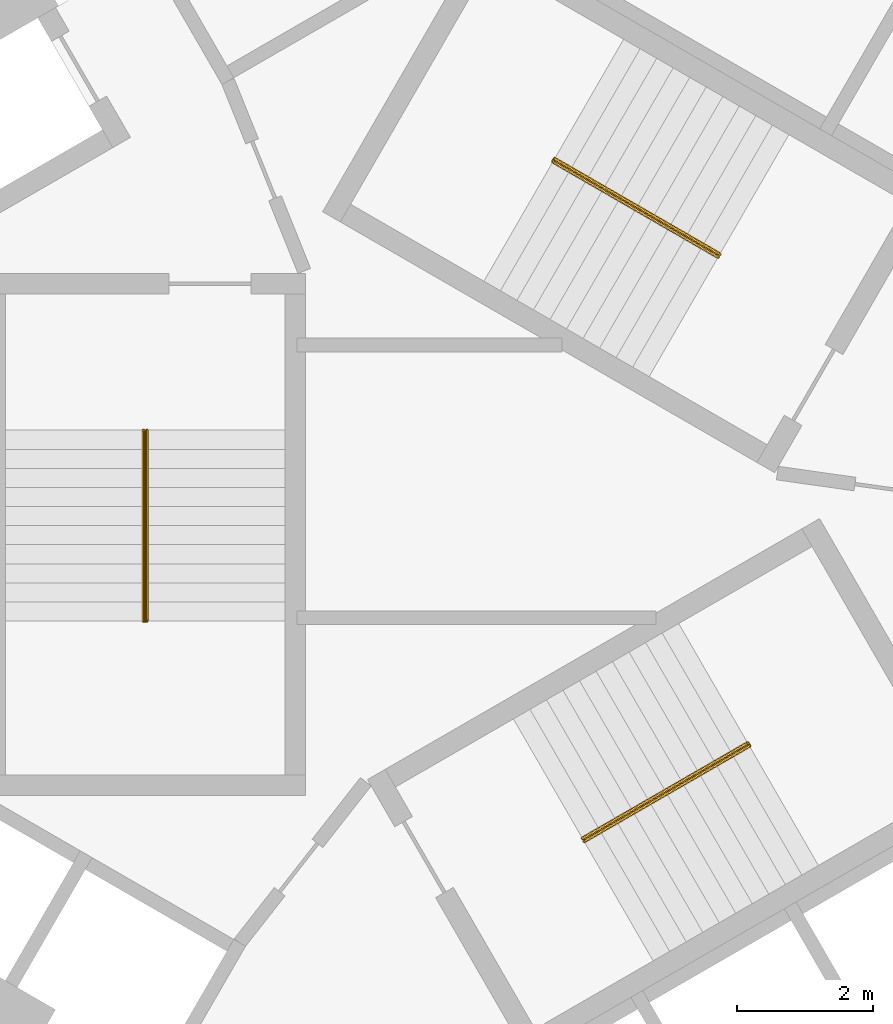
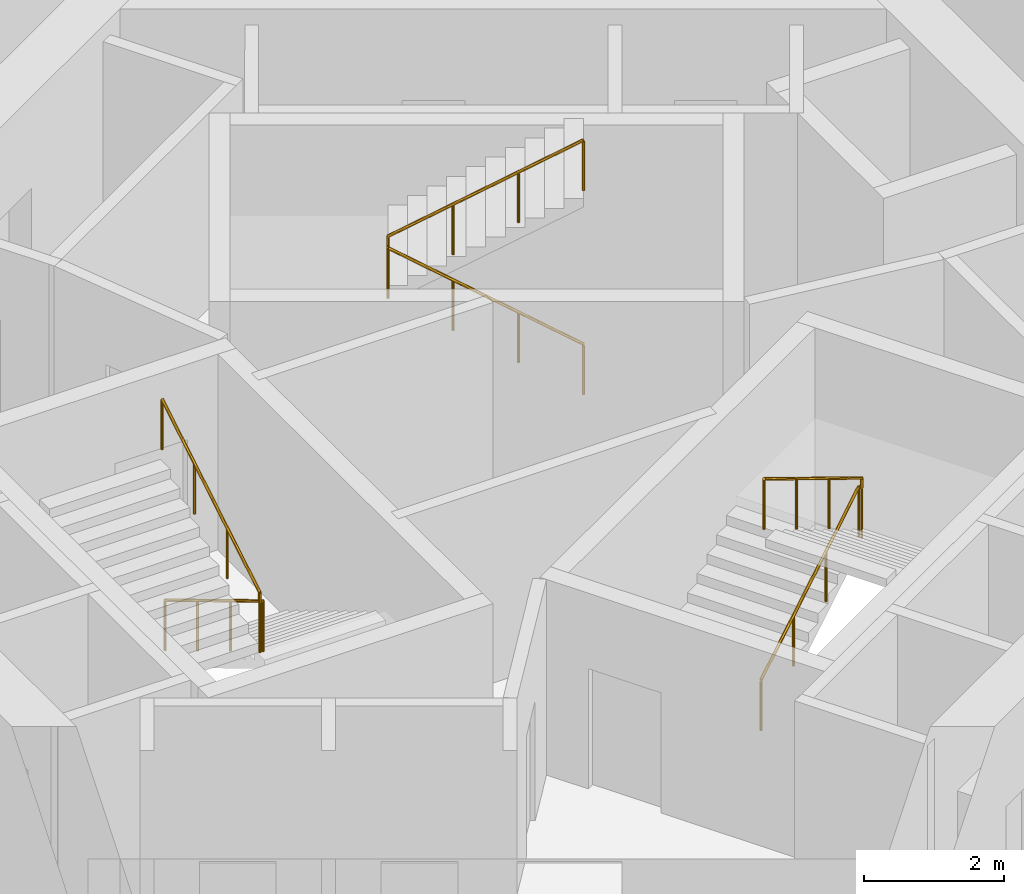
# One storey, part 11 of 11: 3 railings.
"""IFC4 building model written with IfcOpenShell, lengths in metres."""

from ifc_helpers import new_model, si_unit, direction, frame, origin, origin_2d, place, context, subcontext, project, spatial, circle, extrude, material, type_object, element, save


model = new_model("IFC4")

# Units and contexts
model_context = context("Model", 3, precision=1e-05, world=origin(), true_north=direction((0.0, 1.0)))
body_context = subcontext(model_context, "Body", "Model", "MODEL_VIEW")
ifc_project = project(units=[si_unit("LENGTHUNIT", "METRE"), si_unit("AREAUNIT", "SQUARE_METRE"), si_unit("VOLUMEUNIT", "CUBIC_METRE"), si_unit("PLANEANGLEUNIT", "RADIAN"), si_unit("MASSUNIT", "GRAM", prefix="KILO")], contexts=[model_context])

# Site, building, storey
site_placement = place(None, origin())
site = spatial("IfcSite", under=ifc_project, at=site_placement, CompositionType="ELEMENT")
building_placement = place(site_placement, origin())
building = spatial("IfcBuilding", under=site, at=building_placement, Name="Vanh Sen Convention Tower", CompositionType="ELEMENT")
storey_placement = place(building_placement, frame((0.0, 0.0, 232.800048828125)))
storey = spatial("IfcBuildingStorey", under=building, at=storey_placement, Name="L57", CompositionType="ELEMENT", Elevation=232.800048828125)

# Railings
ifc_material = material(Name="Stainless steel handrail", Category="steel")
railing_type = type_object("IfcRailingType", Name="Stair handrail 900", PredefinedType="HANDRAIL", material=ifc_material)
railing_1_placement = place(storey_placement, frame((3.45849609375, 3.690185546875, 0.168212890625)))
element("IfcRailing", 1, at=railing_1_placement, inside=storey, type_object=railing_type, Name="Stair handrail ST1 L57", PredefinedType="HANDRAIL", context=body_context, shape_type="SweptSolid", body=[
    extrude(circle(Radius=0.02392578125, at=origin_2d()), frame((0.0, 0.0, 0.8759765625), z_axis=(-0.74241905619, 0.428617687091, 0.514879426), x_axis=(-0.49998411664, -0.866034573852, 0.0)), (0.0, 0.0, 1.0), 3.26611328125),
    extrude(circle(Radius=0.02392578125, at=origin_2d()), frame((-2.4248046875, 1.39990234375, 2.5576171875), z_axis=(0.497188445666, 0.867642581652, 0.0), x_axis=(-0.867642581652, 0.497188445666, 0.0)), (0.0, 0.0, 1.0), 0.050048828125),
    extrude(circle(Radius=0.02392578125, at=origin_2d()), frame((-2.39990234375, 1.443359375, 2.5576171875), z_axis=(0.0, 0.0, 1.0), x_axis=(1.0, 0.0, 0.0)), (0.0, 0.0, 1.0), 0.168212890625),
    extrude(circle(Radius=0.02392578125, at=origin_2d()), frame((-2.39990234375, 1.443359375, 2.7255859375), z_axis=(0.742366697286, -0.42866220388, 0.514917859203), x_axis=(0.500049511043, 0.865996816683, 0.0)), (0.0, 0.0, 1.0), 3.266357421875),
    extrude(circle(Radius=0.02099609375, at=origin_2d()), origin(), (0.0, 0.0, 1.0), 0.851806640625),
    extrude(circle(Radius=0.02099609375, at=origin_2d()), frame((-0.808349609375, 0.466552734375, 0.560546875)), (0.0, 0.0, 1.0), 0.851806640625),
    extrude(circle(Radius=0.02099609375, at=origin_2d()), frame((-1.616455078125, 0.933349609375, 1.12109375)), (0.0, 0.0, 1.0), 0.851806640625),
    extrude(circle(Radius=0.02099609375, at=origin_2d()), frame((-2.4248046875, 1.39990234375, 1.681640625)), (0.0, 0.0, 1.0), 0.851806640625),
    extrude(circle(Radius=0.02099609375, at=origin_2d()), frame((-2.39990234375, 1.443359375, 1.681640625)), (0.0, 0.0, 1.0), 0.851806640625),
    extrude(circle(Radius=0.02099609375, at=origin_2d()), frame((-2.39990234375, 1.443359375, 1.849853515625)), (0.0, 0.0, 1.0), 0.851806640625),
    extrude(circle(Radius=0.02099609375, at=origin_2d()), frame((-1.591552734375, 0.9765625, 2.410400390625)), (0.0, 0.0, 1.0), 0.851806640625),
    extrude(circle(Radius=0.02099609375, at=origin_2d()), frame((-0.783447265625, 0.510009765625, 2.97119140625)), (0.0, 0.0, 1.0), 0.851806640625),
    extrude(circle(Radius=0.02099609375, at=origin_2d()), frame((0.02490234375, 0.043212890625, 3.53173828125)), (0.0, 0.0, 1.0), 0.851806640625),
])
railing_2_placement = place(storey_placement, frame((-4.925048828125, 1.14990234375, 0.168212890625)))
element("IfcRailing", 2, at=railing_2_placement, inside=storey, type_object=railing_type, Name="Stair handrail ST2 L57", PredefinedType="HANDRAIL", context=body_context, shape_type="SweptSolid", body=[
    extrude(circle(Radius=0.02392578125, at=origin_2d()), frame((0.0, 0.0, 0.8759765625), z_axis=(0.0, -0.857255387014, 0.514891446264), x_axis=(1.0, 0.0, 0.0)), (0.0, 0.0, 1.0), 3.26611328125),
    extrude(circle(Radius=0.02392578125, at=origin_2d()), frame((0.0, -2.7998046875, 2.5576171875), z_axis=(-1.0, 0.0, 0.0), x_axis=(0.0, -1.0, 0.0)), (0.0, 0.0, 1.0), 0.050048828125),
    extrude(circle(Radius=0.02392578125, at=origin_2d()), frame((-0.050048828125, -2.7998046875, 2.5576171875), z_axis=(0.0, 0.0, 1.0), x_axis=(1.0, 0.0, 0.0)), (0.0, 0.0, 1.0), 0.168212890625),
    extrude(circle(Radius=0.02392578125, at=origin_2d()), frame((-0.050048828125, -2.7998046875, 2.7255859375), z_axis=(0.0, 0.857222391501, 0.514946377315), x_axis=(-1.0, 0.0, 0.0)), (0.0, 0.0, 1.0), 3.26611328125),
    extrude(circle(Radius=0.02099609375, at=origin_2d()), origin(), (0.0, 0.0, 1.0), 0.851806640625),
    extrude(circle(Radius=0.02099609375, at=origin_2d()), frame((0.0, -0.933349609375, 0.560546875)), (0.0, 0.0, 1.0), 0.851806640625),
    extrude(circle(Radius=0.02099609375, at=origin_2d()), frame((0.0, -1.866455078125, 1.12109375)), (0.0, 0.0, 1.0), 0.851806640625),
    extrude(circle(Radius=0.02099609375, at=origin_2d()), frame((0.0, -2.7998046875, 1.681640625)), (0.0, 0.0, 1.0), 0.851806640625),
    extrude(circle(Radius=0.02099609375, at=origin_2d()), frame((-0.050048828125, -2.7998046875, 1.681640625)), (0.0, 0.0, 1.0), 0.851806640625),
    extrude(circle(Radius=0.02099609375, at=origin_2d()), frame((-0.050048828125, -2.7998046875, 1.849853515625)), (0.0, 0.0, 1.0), 0.851806640625),
    extrude(circle(Radius=0.02099609375, at=origin_2d()), frame((-0.050048828125, -1.866455078125, 2.410400390625)), (0.0, 0.0, 1.0), 0.851806640625),
    extrude(circle(Radius=0.02099609375, at=origin_2d()), frame((-0.050048828125, -0.933349609375, 2.97119140625)), (0.0, 0.0, 1.0), 0.851806640625),
    extrude(circle(Radius=0.02099609375, at=origin_2d()), frame((-0.050048828125, 0.0, 3.53173828125)), (0.0, 0.0, 1.0), 0.851806640625),
])
railing_3_placement = place(storey_placement, frame((1.466552734375, -4.840087890625, 0.168212890625)))
element("IfcRailing", 3, at=railing_3_placement, inside=storey, type_object=railing_type, Name="Stair handrail ST3 L57", PredefinedType="HANDRAIL", context=body_context, shape_type="SweptSolid", body=[
    extrude(circle(Radius=0.02392578125, at=origin_2d()), frame((0.0, 0.0, 0.8759765625), z_axis=(0.74241905619, 0.428617687091, 0.514879426), x_axis=(-0.49998411664, 0.866034573852, 0.0)), (0.0, 0.0, 1.0), 3.26611328125),
    extrude(circle(Radius=0.02392578125, at=origin_2d()), frame((2.4248046875, 1.39990234375, 2.5576171875), z_axis=(0.502959906984, -0.86430974307, 0.0), x_axis=(0.86430974307, 0.502959906984, 0.0)), (0.0, 0.0, 1.0), 0.050048828125),
    extrude(circle(Radius=0.02392578125, at=origin_2d()), frame((2.449951171875, 1.356689453125, 2.5576171875), z_axis=(0.0, 0.0, 1.0), x_axis=(1.0, 0.0, 0.0)), (0.0, 0.0, 1.0), 0.168212890625),
    extrude(circle(Radius=0.02392578125, at=origin_2d()), frame((2.449951171875, 1.356689453125, 2.7255859375), z_axis=(-0.742366697286, -0.42866220388, 0.514917859203), x_axis=(0.500049511043, -0.865996816683, 0.0)), (0.0, 0.0, 1.0), 3.266357421875),
    extrude(circle(Radius=0.02099609375, at=origin_2d()), origin(), (0.0, 0.0, 1.0), 0.851806640625),
    extrude(circle(Radius=0.02099609375, at=origin_2d()), frame((0.808349609375, 0.466552734375, 0.560546875)), (0.0, 0.0, 1.0), 0.851806640625),
    extrude(circle(Radius=0.02099609375, at=origin_2d()), frame((1.616455078125, 0.933349609375, 1.12109375)), (0.0, 0.0, 1.0), 0.851806640625),
    extrude(circle(Radius=0.02099609375, at=origin_2d()), frame((2.4248046875, 1.39990234375, 1.681640625)), (0.0, 0.0, 1.0), 0.851806640625),
    extrude(circle(Radius=0.02099609375, at=origin_2d()), frame((2.449951171875, 1.356689453125, 1.681640625)), (0.0, 0.0, 1.0), 0.851806640625),
    extrude(circle(Radius=0.02099609375, at=origin_2d()), frame((2.449951171875, 1.356689453125, 1.849853515625)), (0.0, 0.0, 1.0), 0.851806640625),
    extrude(circle(Radius=0.02099609375, at=origin_2d()), frame((1.6416015625, 0.889892578125, 2.410400390625)), (0.0, 0.0, 1.0), 0.851806640625),
    extrude(circle(Radius=0.02099609375, at=origin_2d()), frame((0.83349609375, 0.42333984375, 2.97119140625)), (0.0, 0.0, 1.0), 0.851806640625),
    extrude(circle(Radius=0.02099609375, at=origin_2d()), frame((0.025146484375, -0.04345703125, 3.53173828125)), (0.0, 0.0, 1.0), 0.851806640625),
])

save(model, "model.ifc")
